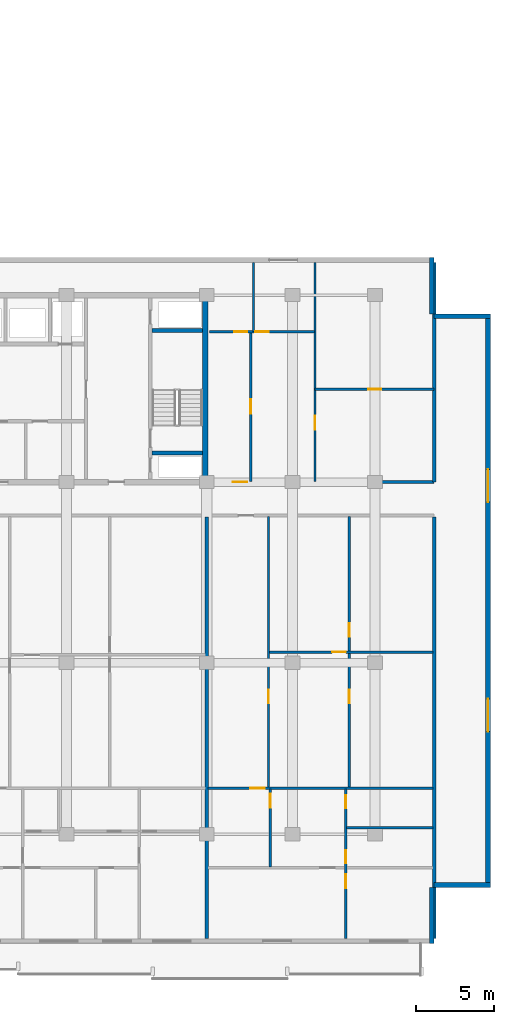
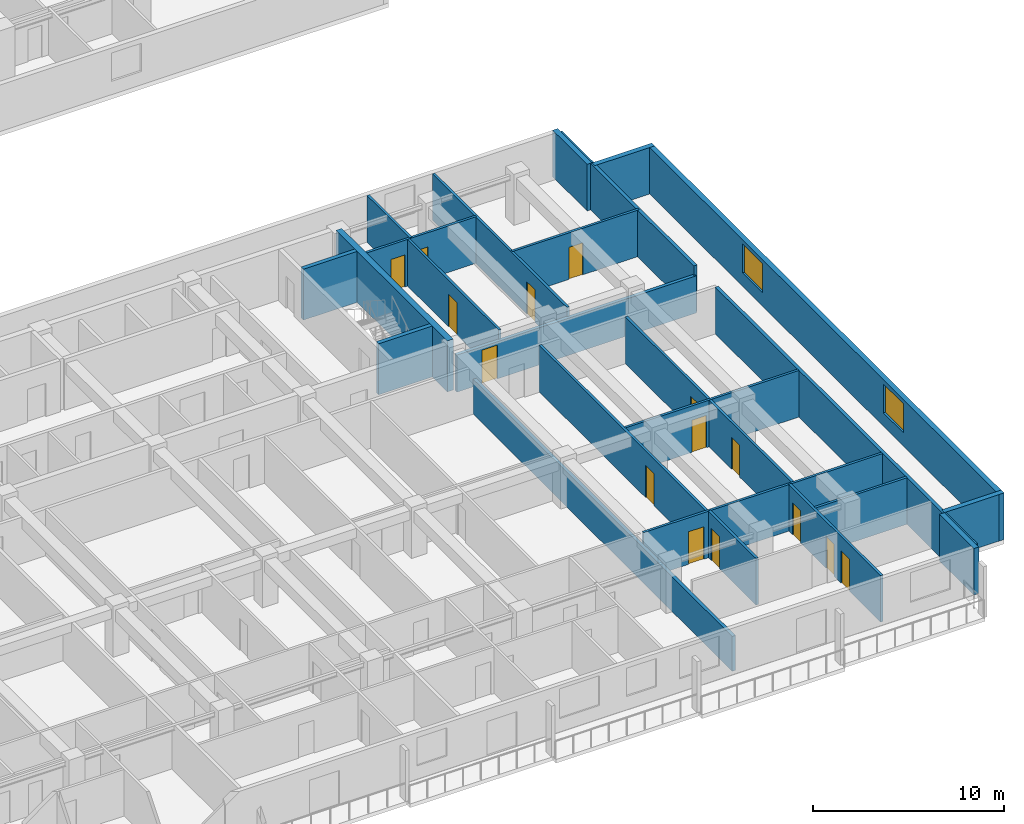
# One storey, part 9 of 23: 24 walls, 15 doors, 2 windows, 17 openings.
"""IFC4 building model written with IfcOpenShell, lengths in metres."""

from ifc_helpers import new_model, si_unit, direction, frame, frame_2d, origin, place, context, subcontext, project, spatial, rectangle, extrude, material, layer, layer_set, type_object, element, fill, save


model = new_model("IFC4")

# Units and contexts
model_context = context("Model", 3, precision=1e-05, world=origin(), true_north=direction((0.0, 1.0)))
body_context = subcontext(model_context, "Body", "Model", "MODEL_VIEW")
ifc_project = project(units=[si_unit("LENGTHUNIT", "METRE"), si_unit("AREAUNIT", "SQUARE_METRE"), si_unit("VOLUMEUNIT", "CUBIC_METRE"), si_unit("PLANEANGLEUNIT", "RADIAN"), si_unit("MASSUNIT", "GRAM", prefix="KILO")], contexts=[model_context])

# Site, building, storey
site_placement = place(None, origin())
site = spatial("IfcSite", under=ifc_project, at=site_placement, CompositionType="ELEMENT")
building_placement = place(site_placement, origin())
building = spatial("IfcBuilding", under=site, at=building_placement, Name="Korimba Cascade Residences", CompositionType="ELEMENT")
storey_placement = place(building_placement, frame((0.0, 0.0, 72.75)))
storey = spatial("IfcBuildingStorey", under=building, at=storey_placement, Name="L20", CompositionType="ELEMENT", Elevation=72.75)

# Walls
ifc_material_1 = material(Name="Precast concrete C40/50", Category="concrete")
ifc_layer_1 = layer(ifc_material_1, 0.300048828125)
ifc_layer_set_1 = layer_set([ifc_layer_1], Name="Precast concrete C40/50")
wall_type_1 = type_object("IfcWallType", Name="EW-STONE-300", PredefinedType="STANDARD", material=ifc_layer_set_1)
wall_1_placement = place(storey_placement, frame((132.550048828125, -11.199951171875, 0.0), z_axis=(0.0, 0.0, 1.0), x_axis=(0.0, 1.0, 0.0)))
element("IfcWall", 1, at=wall_1_placement, inside=storey, type_object=wall_type_1, Name="L20 T2 Perimeter Stone Wall E01", PredefinedType="STANDARD", context=body_context, shape_type="SweptSolid", body=[
    extrude(rectangle(XDim=3.599853515625, YDim=0.300048828125, at=frame_2d((1.7998046875, 0.0))), origin(), (0.0, 0.0, 1.0), 2.969970703125),
])
wall_2_placement = place(storey_placement, frame((132.699951171875, -7.449951171875, 0.0), z_axis=(0.0, 0.0, 1.0), x_axis=(1.0, 0.0, 0.0)))
element("IfcWall", 2, at=wall_2_placement, inside=storey, type_object=wall_type_1, Name="L20 T2 Perimeter Stone Wall E02", PredefinedType="STANDARD", context=body_context, shape_type="SweptSolid", body=[
    extrude(rectangle(XDim=3.60009765625, YDim=0.300048828125, at=frame_2d((1.800048828125, 0.0))), origin(), (0.0, 0.0, 1.0), 2.969970703125),
])

# Wall, openings, windows
wall_3_placement = place(storey_placement, frame((136.14990234375, -7.60009765625, 0.0), z_axis=(0.0, 0.0, 1.0), x_axis=(0.0, 1.0, 0.0)))
wall_3 = element("IfcWall", 3, at=wall_3_placement, inside=storey, type_object=wall_type_1, Name="L20 T2 Perimeter Stone Wall E03", PredefinedType="STANDARD", context=body_context, shape_type="SweptSolid", body=[
    extrude(rectangle(XDim=36.800048828125, YDim=0.300048828125, at=frame_2d((18.39990234375, 0.0))), origin(), (0.0, 0.0, 1.0), 2.969970703125),
])
opening_1_placement = place(wall_3_placement, frame((9.989990234375, 0.0, 0.85009765625)))
opening_1 = element("IfcOpeningElement", 4, at=opening_1_placement, cuts=wall_3, Name="Opening W-03", PredefinedType="OPENING", context=body_context, shape_type="SweptSolid", body=[
    extrude(rectangle(XDim=2.10009765625, YDim=1.85009765625, at=frame_2d((1.050048828125, 0.925048828125))), frame((0.0, 0.16015625, 0.0), z_axis=(0.0, -1.0, 0.0), x_axis=(1.0, 0.0, 0.0)), (0.0, 0.0, 1.0), 0.320068359375),
])
opening_2_placement = place(wall_3_placement, frame((24.7099609375, 0.0, 0.85009765625)))
opening_2 = element("IfcOpeningElement", 5, at=opening_2_placement, cuts=wall_3, Name="Opening W-03", PredefinedType="OPENING", context=body_context, shape_type="SweptSolid", body=[
    extrude(rectangle(XDim=2.10009765625, YDim=1.85009765625, at=frame_2d((1.050048828125, 0.925048828125))), frame((0.0, 0.16015625, 0.0), z_axis=(0.0, -1.0, 0.0), x_axis=(1.0, 0.0, 0.0)), (0.0, 0.0, 1.0), 0.320068359375),
])
ifc_material_2 = material(Name="Double-Glazed Aluminium Window", Category="aluminium")
window_type = type_object("IfcWindowType", Name="WIN-CRN-2100", PartitioningType="DOUBLE_PANEL_HORIZONTAL", PredefinedType="WINDOW", material=ifc_material_2)
window_1_placement = place(opening_1_placement, origin())
window_1 = element("IfcWindow", 6, at=window_1_placement, inside=storey, type_object=window_type, Name="L20 T2 End View Window 3.1", OverallHeight=1.85009765625, OverallWidth=2.10009765625, PartitioningType="DOUBLE_PANEL_HORIZONTAL", PredefinedType="WINDOW", context=body_context, shape_type="SweptSolid", body=[
    extrude(rectangle(XDim=2.10009765625, YDim=1.85009765625, at=frame_2d((1.050048828125, 0.925048828125))), frame((0.0, 0.030029296875, 0.0), z_axis=(0.0, -1.0, 0.0), x_axis=(1.0, 0.0, 0.0)), (0.0, 0.0, 1.0), 0.06005859375),
])
fill(opening_1, window_1)
window_2_placement = place(opening_2_placement, origin())
window_2 = element("IfcWindow", 7, at=window_2_placement, inside=storey, type_object=window_type, Name="L20 T2 End View Window 3.2", OverallHeight=1.85009765625, OverallWidth=2.10009765625, PartitioningType="DOUBLE_PANEL_HORIZONTAL", PredefinedType="WINDOW", context=body_context, shape_type="SweptSolid", body=[
    extrude(rectangle(XDim=2.10009765625, YDim=1.85009765625, at=frame_2d((1.050048828125, 0.925048828125))), frame((0.0, 0.030029296875, 0.0), z_axis=(0.0, -1.0, 0.0), x_axis=(1.0, 0.0, 0.0)), (0.0, 0.0, 1.0), 0.06005859375),
])
fill(opening_2, window_2)

# Walls
for number, where, z_axis, x_axis, name in (
    (8, (136.300048828125, 29.050048828125, 0.0), (0.0, 0.0, 1.0), (-1.0, 0.0, 0.0), "L20 T2 Perimeter Stone Wall E04"),
    (9, (132.550048828125, 29.199951171875, 0.0), (0.0, 0.0, 1.0), (0.0, 1.0, 0.0), "L20 T2 Perimeter Stone Wall E05"),
):
    element("IfcWall", number, at=place(storey_placement, frame(where, z_axis=z_axis, x_axis=x_axis)), inside=storey, type_object=wall_type_1, Name=name, PredefinedType="STANDARD", context=body_context, shape_type="SweptSolid", body=[
        extrude(rectangle(XDim=3.60009765625, YDim=0.300048828125, at=frame_2d((1.800048828125, 0.0))), origin(), (0.0, 0.0, 1.0), 2.969970703125),
    ])
ifc_material_3 = material(Name="Concrete C65/80", Category="concrete")
ifc_layer_2 = layer(ifc_material_3, 0.35009765625)
ifc_layer_set_2 = layer_set([ifc_layer_2], Name="Concrete C65/80")
wall_type_2 = type_object("IfcWallType", Name="WAL-CORE-350", PredefinedType="SHEAR", material=ifc_layer_set_2)
wall_4_placement = place(storey_placement, frame((118.014892578125, 18.574951171875, 0.0), z_axis=(0.0, 0.0, 1.0), x_axis=(0.0, 1.0, 0.0)))
element("IfcWall", 10, at=wall_4_placement, inside=storey, type_object=wall_type_2, Name="L20 Core Shear Wall CW-L20-T2-E", PredefinedType="SHEAR", context=body_context, shape_type="SweptSolid", body=[
    extrude(rectangle(XDim=11.650146484375, YDim=0.35009765625, at=frame_2d((5.8251953125, 0.0))), origin(), (0.0, 0.0, 1.0), 3.25),
])
ifc_layer_3 = layer(ifc_material_1, 0.199951171875)
ifc_layer_set_3 = layer_set([ifc_layer_3], Name="Precast concrete C40/50")
wall_type_3 = type_object("IfcWallType", Name="WAL-IT-200", PredefinedType="PARTITIONING", material=ifc_layer_set_3)
wall_5_placement = place(storey_placement, frame((132.699951171875, 18.39990234375, 0.0), z_axis=(0.0, 0.0, 1.0), x_axis=(0.0, 1.0, 0.0)))
element("IfcWall", 11, at=wall_5_placement, inside=storey, type_object=wall_type_3, Name="L20 Partition Wall WAL-L20-T2-FE-WR", PredefinedType="PARTITIONING", context=body_context, shape_type="SweptSolid", body=[
    extrude(rectangle(XDim=14.10009765625, YDim=0.199951171875, at=frame_2d((7.050048828125, 0.0))), origin(), (0.0, 0.0, 1.0), 2.969970703125),
])

# Wall, opening, door
wall_6_placement = place(storey_placement, frame((118.25, 18.39990234375, 0.0), z_axis=(0.0, 0.0, 1.0), x_axis=(1.0, 0.0, 0.0)))
wall_6 = element("IfcWall", 12, at=wall_6_placement, inside=storey, type_object=wall_type_3, Name="L20 Partition Wall WAL-L20-T2-FE-S", PredefinedType="PARTITIONING", context=body_context, shape_type="SweptSolid", body=[
    extrude(rectangle(XDim=14.449951171875, YDim=0.199951171875, at=frame_2d((7.22509765625, 0.0))), origin(), (0.0, 0.0, 1.0), 2.3701171875),
])
opening_3_placement = place(wall_6_placement, frame((1.510009765625, 0.0, 0.0)))
opening_3 = element("IfcOpeningElement", 13, at=opening_3_placement, cuts=wall_6, Name="Opening D-UN1", PredefinedType="OPENING", context=body_context, shape_type="SweptSolid", body=[
    extrude(rectangle(XDim=0.949951171875, YDim=2.14990234375, at=frame_2d((0.47509765625, 1.074951171875))), frame((0.0, 0.10986328125, 0.0), z_axis=(0.0, -1.0, 0.0), x_axis=(1.0, 0.0, 0.0)), (0.0, 0.0, 1.0), 0.219970703125),
])
ifc_material_4 = material(Name="Fire-Rated Hardwood Apartment Entrance Door", Category="wood")
door_type_1 = type_object("IfcDoorType", Name="DR-FD60-950", OperationType="NOTDEFINED", PredefinedType="DOOR", material=ifc_material_4)
door_1_placement = place(opening_3_placement, origin())
door_1 = element("IfcDoor", 14, at=door_1_placement, inside=storey, type_object=door_type_1, Name="L20-T2-FE Entrance Door", OperationType="SINGLE_SWING_RIGHT", OverallHeight=2.14990234375, OverallWidth=0.949951171875, PredefinedType="DOOR", context=body_context, shape_type="SweptSolid", body=[
    extrude(rectangle(XDim=0.949951171875, YDim=2.14990234375, at=frame_2d((0.47509765625, 1.074951171875))), frame((0.0, 0.02490234375, 0.0), z_axis=(0.0, -1.0, 0.0), x_axis=(1.0, 0.0, 0.0)), (0.0, 0.0, 1.0), 0.050048828125),
])
fill(opening_3, door_1)

# Walls
wall_7_placement = place(storey_placement, frame((132.699951171875, -10.89990234375, 0.0), z_axis=(0.0, 0.0, 1.0), x_axis=(0.0, 1.0, 0.0)))
element("IfcWall", 15, at=wall_7_placement, inside=storey, type_object=wall_type_3, Name="L20 Partition Wall WAL-L20-T2-BNDWR", PredefinedType="PARTITIONING", context=body_context, shape_type="SweptSolid", body=[
    extrude(rectangle(XDim=27.06982421875, YDim=0.199951171875, at=frame_2d((13.534912109375, 0.0))), origin(), (0.0, 0.0, 1.0), 2.969970703125),
])
wall_8_placement = place(storey_placement, frame((118.10009765625, -10.89990234375, 0.0), z_axis=(0.0, 0.0, 1.0), x_axis=(0.0, 1.0, 0.0)))
element("IfcWall", 16, at=wall_8_placement, inside=storey, type_object=wall_type_3, Name="L20 Partition Wall WAL-L20-T2-DEM-3", PredefinedType="PARTITIONING", context=body_context, shape_type="SweptSolid", body=[
    extrude(rectangle(XDim=27.06982421875, YDim=0.199951171875, at=frame_2d((13.534912109375, 0.0))), origin(), (0.0, 0.0, 1.0), 2.219970703125),
])

# Wall, opening, door
ifc_material_5 = material(Name="Insulated Acoustic Stud Partition", Category="gypsum")
ifc_layer_4 = layer(ifc_material_5, 0.14990234375)
ifc_layer_set_4 = layer_set([ifc_layer_4], Name="Insulated Acoustic Stud Partition")
wall_type_4 = type_object("IfcWallType", Name="WAL-PART-150", PredefinedType="PARTITIONING", material=ifc_layer_set_4)
wall_9_placement = place(storey_placement, frame((125.050048828125, 24.35009765625, 0.0), z_axis=(0.0, 0.0, 1.0), x_axis=(1.0, 0.0, 0.0)))
wall_9 = element("IfcWall", 17, at=wall_9_placement, inside=storey, type_object=wall_type_4, Name="L20 Partition Wall WAL-L20-T2-FE-STH", PredefinedType="PARTITIONING", context=body_context, shape_type="SweptSolid", body=[
    extrude(rectangle(XDim=7.64990234375, YDim=0.14990234375, at=frame_2d((3.824951171875, 0.0))), origin(), (0.0, 0.0, 1.0), 2.969970703125),
])
opening_4_placement = place(wall_9_placement, frame((3.405029296875, 0.0, 0.0)))
opening_4 = element("IfcOpeningElement", 18, at=opening_4_placement, cuts=wall_9, Name="Opening D-BT1", PredefinedType="OPENING", context=body_context, shape_type="SweptSolid", body=[
    extrude(rectangle(XDim=0.840087890625, YDim=2.0400390625, at=frame_2d((0.419921875, 1.02001953125))), frame((0.0, 0.0849609375, 0.0), z_axis=(0.0, -1.0, 0.0), x_axis=(1.0, 0.0, 0.0)), (0.0, 0.0, 1.0), 0.169921875),
])
ifc_material_6 = material(Name="Moisture-Resistant Bathroom Timber Door", Category="wood")
door_type_2 = type_object("IfcDoorType", Name="DR-INT-850", OperationType="NOTDEFINED", PredefinedType="DOOR", material=ifc_material_6)
door_2_placement = place(opening_4_placement, origin())
door_2 = element("IfcDoor", 19, at=door_2_placement, inside=storey, type_object=door_type_2, Name="L20-T2-FE Dressing Store Door", OperationType="SINGLE_SWING_LEFT", OverallHeight=2.0400390625, OverallWidth=0.840087890625, PredefinedType="DOOR", context=body_context, shape_type="SweptSolid", body=[
    extrude(rectangle(XDim=0.840087890625, YDim=2.0400390625, at=frame_2d((0.419921875, 1.02001953125))), frame((0.0, 0.02490234375, 0.0), z_axis=(0.0, -1.0, 0.0), x_axis=(1.0, 0.0, 0.0)), (0.0, 0.0, 1.0), 0.050048828125),
])
fill(opening_4, door_2)

wall_10_placement = place(storey_placement, frame((125.050048828125, 18.449951171875, 0.0), z_axis=(0.0, 0.0, 1.0), x_axis=(0.0, 1.0, 0.0)))
wall_10 = element("IfcWall", 20, at=wall_10_placement, inside=storey, type_object=wall_type_4, Name="L20 Partition Wall WAL-L20-T2-FE-STV", PredefinedType="PARTITIONING", context=body_context, shape_type="SweptSolid", body=[
    extrude(rectangle(XDim=14.050048828125, YDim=0.14990234375, at=frame_2d((7.02490234375, 0.0))), origin(), (0.0, 0.0, 1.0), 2.969970703125),
])
opening_5_placement = place(wall_10_placement, frame((3.320068359375, 0.0, 0.0)))
opening_5 = element("IfcOpeningElement", 21, at=opening_5_placement, cuts=wall_10, Name="Opening D-IN2", PredefinedType="OPENING", context=body_context, shape_type="SweptSolid", body=[
    extrude(rectangle(XDim=0.8798828125, YDim=2.06005859375, at=frame_2d((0.43994140625, 1.030029296875))), frame((0.0, 0.0849609375, 0.0), z_axis=(0.0, -1.0, 0.0), x_axis=(1.0, 0.0, 0.0)), (0.0, 0.0, 1.0), 0.169921875),
])
ifc_material_7 = material(Name="Acoustic Timber Bedroom Door", Category="wood")
door_type_3 = type_object("IfcDoorType", Name="DR-INT-880", OperationType="NOTDEFINED", PredefinedType="DOOR", material=ifc_material_7)
door_3_placement = place(opening_5_placement, origin())
door_3 = element("IfcDoor", 22, at=door_3_placement, inside=storey, type_object=door_type_3, Name="L20-T2-FE Study Door", OperationType="SINGLE_SWING_RIGHT", OverallHeight=2.06005859375, OverallWidth=0.8798828125, PredefinedType="DOOR", context=body_context, shape_type="SweptSolid", body=[
    extrude(rectangle(XDim=0.8798828125, YDim=2.06005859375, at=frame_2d((0.43994140625, 1.030029296875))), frame((0.0, 0.02490234375, 0.0), z_axis=(0.0, -1.0, 0.0), x_axis=(1.0, 0.0, 0.0)), (0.0, 0.0, 1.0), 0.050048828125),
])
fill(opening_5, door_3)

wall_11_placement = place(storey_placement, frame((120.929931640625, 18.449951171875, 0.0), z_axis=(0.0, 0.0, 1.0), x_axis=(0.0, 1.0, 0.0)))
wall_11 = element("IfcWall", 23, at=wall_11_placement, inside=storey, type_object=wall_type_4, Name="L20 Partition Wall WAL-L20-T2-FE-VS", PredefinedType="PARTITIONING", context=body_context, shape_type="SweptSolid", body=[
    extrude(rectangle(XDim=9.60009765625, YDim=0.14990234375, at=frame_2d((4.800048828125, 0.0))), origin(), (0.0, 0.0, 1.0), 2.969970703125),
])
opening_6_placement = place(wall_11_placement, frame((4.340087890625, 0.0, 0.0)))
opening_6 = element("IfcOpeningElement", 24, at=opening_6_placement, cuts=wall_11, Name="Opening D-IN1", PredefinedType="OPENING", context=body_context, shape_type="SweptSolid", body=[
    extrude(rectangle(XDim=0.919921875, YDim=2.080078125, at=frame_2d((0.4599609375, 1.0400390625))), frame((0.0, 0.0849609375, 0.0), z_axis=(0.0, -1.0, 0.0), x_axis=(1.0, 0.0, 0.0)), (0.0, 0.0, 1.0), 0.169921875),
])
ifc_material_8 = material(Name="Acoustic Timber Living Door", Category="wood")
door_type_4 = type_object("IfcDoorType", Name="DR-INT-920", OperationType="NOTDEFINED", PredefinedType="DOOR", material=ifc_material_8)
door_4_placement = place(opening_6_placement, origin())
door_4 = element("IfcDoor", 25, at=door_4_placement, inside=storey, type_object=door_type_4, Name="L20-T2-FE Living Door", OperationType="SINGLE_SWING_LEFT", OverallHeight=2.080078125, OverallWidth=0.919921875, PredefinedType="DOOR", context=body_context, shape_type="SweptSolid", body=[
    extrude(rectangle(XDim=0.919921875, YDim=2.080078125, at=frame_2d((0.4599609375, 1.0400390625))), frame((0.0, 0.02490234375, 0.0), z_axis=(0.0, -1.0, 0.0), x_axis=(1.0, 0.0, 0.0)), (0.0, 0.0, 1.0), 0.050048828125),
])
fill(opening_6, door_4)

# Wall
wall_12_placement = place(storey_placement, frame((121.10009765625, 28.050048828125, 0.0), z_axis=(0.0, 0.0, 1.0), x_axis=(0.0, 1.0, 0.0)))
element("IfcWall", 26, at=wall_12_placement, inside=storey, type_object=wall_type_4, Name="L20 Partition Wall WAL-L20-T2-FE-VN", PredefinedType="PARTITIONING", context=body_context, shape_type="SweptSolid", body=[
    extrude(rectangle(XDim=4.449951171875, YDim=0.14990234375, at=frame_2d((2.22509765625, 0.0))), origin(), (0.0, 0.0, 1.0), 2.969970703125),
])

# Wall, openings, doors
wall_13_placement = place(storey_placement, frame((118.27001953125, 28.050048828125, 0.0), z_axis=(0.0, 0.0, 1.0), x_axis=(1.0, 0.0, 0.0)))
wall_13 = element("IfcWall", 27, at=wall_13_placement, inside=storey, type_object=wall_type_4, Name="L20 Partition Wall WAL-L20-T2-FE-H", PredefinedType="PARTITIONING", context=body_context, shape_type="SweptSolid", body=[
    extrude(rectangle(XDim=6.760009765625, YDim=0.14990234375, at=frame_2d((3.3798828125, 0.0))), origin(), (0.0, 0.0, 1.0), 2.969970703125),
])
opening_7_placement = place(wall_13_placement, frame((1.58740234375, 0.0, 0.0)))
opening_7 = element("IfcOpeningElement", 28, at=opening_7_placement, cuts=wall_13, Name="Opening D-BT1", PredefinedType="OPENING", context=body_context, shape_type="SweptSolid", body=[
    extrude(rectangle(XDim=0.840087890625, YDim=2.0400390625, at=frame_2d((0.419921875, 1.02001953125))), frame((0.0, 0.0849609375, 0.0), z_axis=(0.0, -1.0, 0.0), x_axis=(1.0, 0.0, 0.0)), (0.0, 0.0, 1.0), 0.169921875),
])
opening_8_placement = place(wall_13_placement, frame((2.93408203125, 0.0, 0.0)))
opening_8 = element("IfcOpeningElement", 29, at=opening_8_placement, cuts=wall_13, Name="Opening D-IN2", PredefinedType="OPENING", context=body_context, shape_type="SweptSolid", body=[
    extrude(rectangle(XDim=0.8798828125, YDim=2.06005859375, at=frame_2d((0.43994140625, 1.030029296875))), frame((0.0, 0.0849609375, 0.0), z_axis=(0.0, -1.0, 0.0), x_axis=(1.0, 0.0, 0.0)), (0.0, 0.0, 1.0), 0.169921875),
])
door_5_placement = place(opening_7_placement, origin())
door_5 = element("IfcDoor", 30, at=door_5_placement, inside=storey, type_object=door_type_2, Name="L20-T2-FE Bathroom Door", OperationType="SINGLE_SWING_RIGHT", OverallHeight=2.0400390625, OverallWidth=0.840087890625, PredefinedType="DOOR", context=body_context, shape_type="SweptSolid", body=[
    extrude(rectangle(XDim=0.840087890625, YDim=2.0400390625, at=frame_2d((0.419921875, 1.02001953125))), frame((0.0, 0.02490234375, 0.0), z_axis=(0.0, -1.0, 0.0), x_axis=(1.0, 0.0, 0.0)), (0.0, 0.0, 1.0), 0.050048828125),
])
fill(opening_7, door_5)
door_6_placement = place(opening_8_placement, origin())
door_6 = element("IfcDoor", 31, at=door_6_placement, inside=storey, type_object=door_type_3, Name="L20-T2-FE Bedroom Door", OperationType="SINGLE_SWING_LEFT", OverallHeight=2.06005859375, OverallWidth=0.8798828125, PredefinedType="DOOR", context=body_context, shape_type="SweptSolid", body=[
    extrude(rectangle(XDim=0.8798828125, YDim=2.06005859375, at=frame_2d((0.43994140625, 1.030029296875))), frame((0.0, 0.02490234375, 0.0), z_axis=(0.0, -1.0, 0.0), x_axis=(1.0, 0.0, 0.0)), (0.0, 0.0, 1.0), 0.050048828125),
])
fill(opening_8, door_6)

wall_14_placement = place(storey_placement, frame((127.2548828125, -1.2099609375, 0.0), z_axis=(0.0, 0.0, 1.0), x_axis=(0.0, 1.0, 0.0)))
wall_14 = element("IfcWall", 32, at=wall_14_placement, inside=storey, type_object=wall_type_4, Name="L20 Partition Wall WAL-L20-T2-U04-FMV", PredefinedType="PARTITIONING", context=body_context, shape_type="SweptSolid", body=[
    extrude(rectangle(XDim=17.39990234375, YDim=0.14990234375, at=frame_2d((8.699951171875, 0.0))), origin(), (0.0, 0.0, 1.0), 2.969970703125),
])
opening_9_placement = place(wall_14_placement, frame((5.431884765625, 0.0, 0.0)))
opening_9 = element("IfcOpeningElement", 33, at=opening_9_placement, cuts=wall_14, Name="Opening D-BT1", PredefinedType="OPENING", context=body_context, shape_type="SweptSolid", body=[
    extrude(rectangle(XDim=0.840087890625, YDim=2.0400390625, at=frame_2d((0.419921875, 1.02001953125))), frame((0.0, 0.0849609375, 0.0), z_axis=(0.0, -1.0, 0.0), x_axis=(1.0, 0.0, 0.0)), (0.0, 0.0, 1.0), 0.169921875),
])
opening_10_placement = place(wall_14_placement, frame((9.672119140625, 0.0, 0.0)))
opening_10 = element("IfcOpeningElement", 34, at=opening_10_placement, cuts=wall_14, Name="Opening D-IN2", PredefinedType="OPENING", context=body_context, shape_type="SweptSolid", body=[
    extrude(rectangle(XDim=0.8798828125, YDim=2.06005859375, at=frame_2d((0.43994140625, 1.030029296875))), frame((0.0, 0.0849609375, 0.0), z_axis=(0.0, -1.0, 0.0), x_axis=(1.0, 0.0, 0.0)), (0.0, 0.0, 1.0), 0.169921875),
])
door_7_placement = place(opening_9_placement, origin())
door_7 = element("IfcDoor", 35, at=door_7_placement, inside=storey, type_object=door_type_2, Name="L20-T2-U04 Wardrobe Door", OperationType="SINGLE_SWING_RIGHT", OverallHeight=2.0400390625, OverallWidth=0.840087890625, PredefinedType="DOOR", context=body_context, shape_type="SweptSolid", body=[
    extrude(rectangle(XDim=0.840087890625, YDim=2.0400390625, at=frame_2d((0.419921875, 1.02001953125))), frame((0.0, 0.02490234375, 0.0), z_axis=(0.0, -1.0, 0.0), x_axis=(1.0, 0.0, 0.0)), (0.0, 0.0, 1.0), 0.050048828125),
])
fill(opening_9, door_7)
door_8_placement = place(opening_10_placement, origin())
door_8 = element("IfcDoor", 36, at=door_8_placement, inside=storey, type_object=door_type_3, Name="L20-T2-U04 Music Lounge Door", OperationType="SINGLE_SWING_LEFT", OverallHeight=2.06005859375, OverallWidth=0.8798828125, PredefinedType="DOOR", context=body_context, shape_type="SweptSolid", body=[
    extrude(rectangle(XDim=0.8798828125, YDim=2.06005859375, at=frame_2d((0.43994140625, 1.030029296875))), frame((0.0, 0.02490234375, 0.0), z_axis=(0.0, -1.0, 0.0), x_axis=(1.0, 0.0, 0.0)), (0.0, 0.0, 1.0), 0.050048828125),
])
fill(opening_10, door_8)

# Wall, opening, door
wall_15_placement = place(storey_placement, frame((122.1298828125, 7.489990234375, 0.0), z_axis=(0.0, 0.0, 1.0), x_axis=(1.0, 0.0, 0.0)))
wall_15 = element("IfcWall", 37, at=wall_15_placement, inside=storey, type_object=wall_type_4, Name="L20 Partition Wall WAL-L20-T2-U04-FMH", PredefinedType="PARTITIONING", context=body_context, shape_type="SweptSolid", body=[
    extrude(rectangle(XDim=10.490234375, YDim=0.14990234375, at=frame_2d((5.2451171875, 0.0))), origin(), (0.0, 0.0, 1.0), 2.969970703125),
])
opening_11_placement = place(wall_15_placement, frame((4.02490234375, 0.0, 0.0)))
opening_11 = element("IfcOpeningElement", 38, at=opening_11_placement, cuts=wall_15, Name="Opening D-IN2", PredefinedType="OPENING", context=body_context, shape_type="SweptSolid", body=[
    extrude(rectangle(XDim=0.8798828125, YDim=2.06005859375, at=frame_2d((0.43994140625, 1.030029296875))), frame((0.0, 0.0849609375, 0.0), z_axis=(0.0, -1.0, 0.0), x_axis=(1.0, 0.0, 0.0)), (0.0, 0.0, 1.0), 0.169921875),
])
door_9_placement = place(opening_11_placement, origin())
door_9 = element("IfcDoor", 39, at=door_9_placement, inside=storey, type_object=door_type_3, Name="L20-T2-U04 Library Salon Door", OperationType="SINGLE_SWING_RIGHT", OverallHeight=2.06005859375, OverallWidth=0.8798828125, PredefinedType="DOOR", context=body_context, shape_type="SweptSolid", body=[
    extrude(rectangle(XDim=0.8798828125, YDim=2.06005859375, at=frame_2d((0.43994140625, 1.030029296875))), frame((0.0, 0.02490234375, 0.0), z_axis=(0.0, -1.0, 0.0), x_axis=(1.0, 0.0, 0.0)), (0.0, 0.0, 1.0), 0.050048828125),
])
fill(opening_11, door_9)

wall_16_placement = place(storey_placement, frame((122.070068359375, -1.2099609375, 0.0), z_axis=(0.0, 0.0, 1.0), x_axis=(0.0, 1.0, 0.0)))
wall_16 = element("IfcWall", 40, at=wall_16_placement, inside=storey, type_object=wall_type_4, Name="L20 Partition Wall WAL-L20-T2-U04-FV", PredefinedType="PARTITIONING", context=body_context, shape_type="SweptSolid", body=[
    extrude(rectangle(XDim=17.39990234375, YDim=0.14990234375, at=frame_2d((8.699951171875, 0.0))), origin(), (0.0, 0.0, 1.0), 2.969970703125),
])
opening_12_placement = place(wall_16_placement, frame((5.404052734375, 0.0, 0.0)))
opening_12 = element("IfcOpeningElement", 41, at=opening_12_placement, cuts=wall_16, Name="Opening D-IN2", PredefinedType="OPENING", context=body_context, shape_type="SweptSolid", body=[
    extrude(rectangle(XDim=0.8798828125, YDim=2.06005859375, at=frame_2d((0.43994140625, 1.030029296875))), frame((0.0, 0.0849609375, 0.0), z_axis=(0.0, -1.0, 0.0), x_axis=(1.0, 0.0, 0.0)), (0.0, 0.0, 1.0), 0.169921875),
])
door_10_placement = place(opening_12_placement, origin())
door_10 = element("IfcDoor", 42, at=door_10_placement, inside=storey, type_object=door_type_3, Name="L20-T2-U04 Media Lounge Door", OperationType="SINGLE_SWING_LEFT", OverallHeight=2.06005859375, OverallWidth=0.8798828125, PredefinedType="DOOR", context=body_context, shape_type="SweptSolid", body=[
    extrude(rectangle(XDim=0.8798828125, YDim=2.06005859375, at=frame_2d((0.43994140625, 1.030029296875))), frame((0.0, 0.02490234375, 0.0), z_axis=(0.0, -1.0, 0.0), x_axis=(1.0, 0.0, 0.0)), (0.0, 0.0, 1.0), 0.050048828125),
])
fill(opening_12, door_10)

wall_17_placement = place(storey_placement, frame((122.169921875, -6.2900390625, 0.0), z_axis=(0.0, 0.0, 1.0), x_axis=(0.0, 1.0, 0.0)))
wall_17 = element("IfcWall", 43, at=wall_17_placement, inside=storey, type_object=wall_type_4, Name="L20 Partition Wall WAL-L20-T2-U04-VDIN", PredefinedType="PARTITIONING", context=body_context, shape_type="SweptSolid", body=[
    extrude(rectangle(XDim=5.0, YDim=0.14990234375, at=frame_2d((2.5, 0.0))), origin(), (0.0, 0.0, 1.0), 2.969970703125),
])
opening_13_placement = place(wall_17_placement, frame((3.7958984375, 0.0, 0.0)))
opening_13 = element("IfcOpeningElement", 44, at=opening_13_placement, cuts=wall_17, Name="Opening D-IN2", PredefinedType="OPENING", context=body_context, shape_type="SweptSolid", body=[
    extrude(rectangle(XDim=0.8798828125, YDim=2.06005859375, at=frame_2d((0.43994140625, 1.030029296875))), frame((0.0, 0.0849609375, 0.0), z_axis=(0.0, -1.0, 0.0), x_axis=(1.0, 0.0, 0.0)), (0.0, 0.0, 1.0), 0.169921875),
])
door_11_placement = place(opening_13_placement, origin())
door_11 = element("IfcDoor", 45, at=door_11_placement, inside=storey, type_object=door_type_3, Name="L20-T2-U04 Dining Room Door", OperationType="SINGLE_SWING_RIGHT", OverallHeight=2.06005859375, OverallWidth=0.8798828125, PredefinedType="DOOR", context=body_context, shape_type="SweptSolid", body=[
    extrude(rectangle(XDim=0.8798828125, YDim=2.06005859375, at=frame_2d((0.43994140625, 1.030029296875))), frame((0.0, 0.02490234375, 0.0), z_axis=(0.0, -1.0, 0.0), x_axis=(1.0, 0.0, 0.0)), (0.0, 0.0, 1.0), 0.050048828125),
])
fill(opening_13, door_11)

# Wall
wall_18_placement = place(storey_placement, frame((127.080078125, -3.7900390625, 0.0), z_axis=(0.0, 0.0, 1.0), x_axis=(1.0, 0.0, 0.0)))
element("IfcWall", 46, at=wall_18_placement, inside=storey, type_object=wall_type_4, Name="L20 Partition Wall WAL-L20-T2-U04-BLDIV", PredefinedType="PARTITIONING", context=body_context, shape_type="SweptSolid", body=[
    extrude(rectangle(XDim=5.5400390625, YDim=0.14990234375, at=frame_2d((2.77001953125, 0.0))), origin(), (0.0, 0.0, 1.0), 2.969970703125),
])

# Wall, openings, doors
wall_19_placement = place(storey_placement, frame((127.02001953125, -10.89990234375, 0.0), z_axis=(0.0, 0.0, 1.0), x_axis=(0.0, 1.0, 0.0)))
wall_19 = element("IfcWall", 47, at=wall_19_placement, inside=storey, type_object=wall_type_4, Name="L20 Partition Wall WAL-L20-T2-U04-V1", PredefinedType="PARTITIONING", context=body_context, shape_type="SweptSolid", body=[
    extrude(rectangle(XDim=9.60986328125, YDim=0.14990234375, at=frame_2d((4.804931640625, 0.0))), origin(), (0.0, 0.0, 1.0), 2.969970703125),
])
opening_14_placement = place(wall_19_placement, frame((4.85009765625, 0.0, 0.0)))
opening_14 = element("IfcOpeningElement", 48, at=opening_14_placement, cuts=wall_19, Name="Opening D-BT1", PredefinedType="OPENING", context=body_context, shape_type="SweptSolid", body=[
    extrude(rectangle(XDim=0.840087890625, YDim=2.0400390625, at=frame_2d((0.419921875, 1.02001953125))), frame((0.0, 0.0849609375, 0.0), z_axis=(0.0, -1.0, 0.0), x_axis=(1.0, 0.0, 0.0)), (0.0, 0.0, 1.0), 0.169921875),
])
opening_15_placement = place(wall_19_placement, frame((8.3564453125, 0.0, 0.0)))
opening_15 = element("IfcOpeningElement", 49, at=opening_15_placement, cuts=wall_19, Name="Opening D-BT1", PredefinedType="OPENING", context=body_context, shape_type="SweptSolid", body=[
    extrude(rectangle(XDim=0.840087890625, YDim=2.0400390625, at=frame_2d((0.419921875, 1.02001953125))), frame((0.0, 0.0849609375, 0.0), z_axis=(0.0, -1.0, 0.0), x_axis=(1.0, 0.0, 0.0)), (0.0, 0.0, 1.0), 0.169921875),
])
opening_16_placement = place(wall_19_placement, frame((3.25, 0.0, 0.0)))
opening_16 = element("IfcOpeningElement", 50, at=opening_16_placement, cuts=wall_19, Name="Opening D-IN2", PredefinedType="OPENING", context=body_context, shape_type="SweptSolid", body=[
    extrude(rectangle(XDim=0.8798828125, YDim=2.06005859375, at=frame_2d((0.43994140625, 1.030029296875))), frame((0.0, 0.0849609375, 0.0), z_axis=(0.0, -1.0, 0.0), x_axis=(1.0, 0.0, 0.0)), (0.0, 0.0, 1.0), 0.169921875),
])
door_12_placement = place(opening_14_placement, origin())
door_12 = element("IfcDoor", 51, at=door_12_placement, inside=storey, type_object=door_type_2, Name="L20-T2-U04 Bathroom Door", OperationType="SINGLE_SWING_LEFT", OverallHeight=2.0400390625, OverallWidth=0.840087890625, PredefinedType="DOOR", context=body_context, shape_type="SweptSolid", body=[
    extrude(rectangle(XDim=0.840087890625, YDim=2.0400390625, at=frame_2d((0.419921875, 1.02001953125))), frame((0.0, 0.02490234375, 0.0), z_axis=(0.0, -1.0, 0.0), x_axis=(1.0, 0.0, 0.0)), (0.0, 0.0, 1.0), 0.050048828125),
])
fill(opening_14, door_12)
door_13_placement = place(opening_15_placement, origin())
door_13 = element("IfcDoor", 52, at=door_13_placement, inside=storey, type_object=door_type_2, Name="L20-T2-U04 Laundry Door", OperationType="SINGLE_SWING_RIGHT", OverallHeight=2.0400390625, OverallWidth=0.840087890625, PredefinedType="DOOR", context=body_context, shape_type="SweptSolid", body=[
    extrude(rectangle(XDim=0.840087890625, YDim=2.0400390625, at=frame_2d((0.419921875, 1.02001953125))), frame((0.0, 0.02490234375, 0.0), z_axis=(0.0, -1.0, 0.0), x_axis=(1.0, 0.0, 0.0)), (0.0, 0.0, 1.0), 0.050048828125),
])
fill(opening_15, door_13)
door_14_placement = place(opening_16_placement, origin())
door_14 = element("IfcDoor", 53, at=door_14_placement, inside=storey, type_object=door_type_3, Name="L20-T2-U04 Bedroom 1 Door", OperationType="SINGLE_SWING_LEFT", OverallHeight=2.06005859375, OverallWidth=0.8798828125, PredefinedType="DOOR", context=body_context, shape_type="SweptSolid", body=[
    extrude(rectangle(XDim=0.8798828125, YDim=2.06005859375, at=frame_2d((0.43994140625, 1.030029296875))), frame((0.0, 0.02490234375, 0.0), z_axis=(0.0, -1.0, 0.0), x_axis=(1.0, 0.0, 0.0)), (0.0, 0.0, 1.0), 0.050048828125),
])
fill(opening_16, door_14)

# Wall, opening, door
wall_20_placement = place(storey_placement, frame((118.179931640625, -1.25, 0.0), z_axis=(0.0, 0.0, 1.0), x_axis=(1.0, 0.0, 0.0)))
wall_20 = element("IfcWall", 54, at=wall_20_placement, inside=storey, type_object=wall_type_4, Name="L20 Partition Wall WAL-L20-T2-U04-MW", PredefinedType="PARTITIONING", context=body_context, shape_type="SweptSolid", body=[
    extrude(rectangle(XDim=14.440185546875, YDim=0.14990234375, at=frame_2d((7.22021484375, 0.0))), origin(), (0.0, 0.0, 1.0), 2.969970703125),
])
opening_17_placement = place(wall_20_placement, frame((2.719970703125, 0.0, 0.0)))
opening_17 = element("IfcOpeningElement", 55, at=opening_17_placement, cuts=wall_20, Name="Opening D-IN1", PredefinedType="OPENING", context=body_context, shape_type="SweptSolid", body=[
    extrude(rectangle(XDim=0.919921875, YDim=2.080078125, at=frame_2d((0.4599609375, 1.0400390625))), frame((0.0, 0.0849609375, 0.0), z_axis=(0.0, -1.0, 0.0), x_axis=(1.0, 0.0, 0.0)), (0.0, 0.0, 1.0), 0.169921875),
])
door_15_placement = place(opening_17_placement, origin())
door_15 = element("IfcDoor", 56, at=door_15_placement, inside=storey, type_object=door_type_4, Name="L20-T2-U04 Kitchen Archway Door", OperationType="SINGLE_SWING_RIGHT", OverallHeight=2.080078125, OverallWidth=0.919921875, PredefinedType="DOOR", context=body_context, shape_type="SweptSolid", body=[
    extrude(rectangle(XDim=0.919921875, YDim=2.080078125, at=frame_2d((0.4599609375, 1.0400390625))), frame((0.0, 0.02490234375, 0.0), z_axis=(0.0, -1.0, 0.0), x_axis=(1.0, 0.0, 0.0)), (0.0, 0.0, 1.0), 0.050048828125),
])
fill(opening_17, door_15)

# Walls
ifc_material_9 = material(Name="Concrete C50/60", Category="concrete")
ifc_layer_5 = layer(ifc_material_9, 0.25)
ifc_layer_set_5 = layer_set([ifc_layer_5], Name="Concrete C50/60")
wall_type_5 = type_object("IfcWallType", Name="WAL-SHAFT-250", PredefinedType="SHEAR", material=ifc_layer_set_5)
for number, where, z_axis, x_axis, name in (
    (57, (114.60009765625, 20.27490234375, 0.0), (0.0, 0.0, 1.0), (1.0, 0.0, 0.0), "L20 Core Shear Wall CW-L20-T2-STE2S"),
    (58, (114.60009765625, 28.125, 0.0), (0.0, 0.0, 1.0), (1.0, 0.0, 0.0), "L20 Core Shear Wall CW-L20-T2-STE2N"),
):
    element("IfcWall", number, at=place(storey_placement, frame(where, z_axis=z_axis, x_axis=x_axis)), inside=storey, type_object=wall_type_5, Name=name, PredefinedType="SHEAR", context=body_context, shape_type="SweptSolid", body=[
        extrude(rectangle(XDim=3.239990234375, YDim=0.25, at=frame_2d((1.6201171875, 0.0))), origin(), (0.0, 0.0, 1.0), 3.25),
    ])

save(model, "model.ifc")
